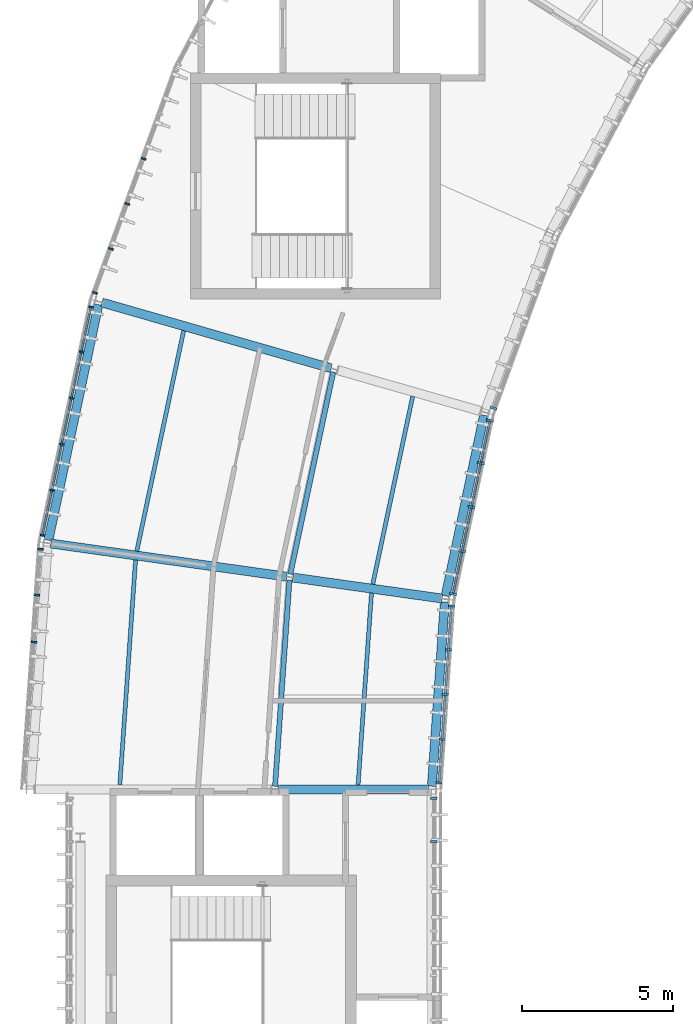
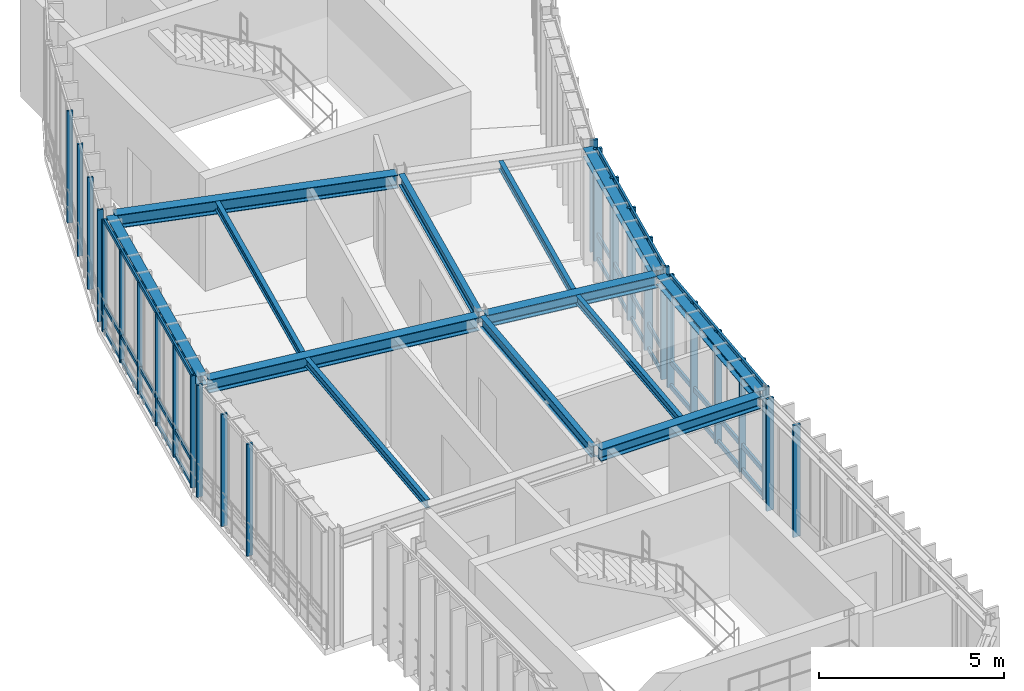
# One storey, part 5 of 25: 35 members, 13 beams, 7 elements without a shape of their own.
"""IFC4 building model written with IfcOpenShell, lengths in metres."""

import ifcopenshell
import ifcopenshell.guid

model = None  # the IFC model being written
_history = None  # IfcOwnerHistory: only IFC2X3 demands one
_inside = {}  # id of a spatial element -> (the spatial element, [elements in it])
_under = {}  # id of a project, library or spatial element -> (it, [spatial elements below it])
_declared = {}  # id of a project -> (the project, [libraries it declares])
_typed = {}  # id of a type object -> (the type object, [elements of that type])
_made_of = {}  # id of a material, layer set ... -> (it, [elements and type objects made of it])


def new_model(schema):
    """Start an empty IFC model of exactly this schema.

    Asked for "IFC4X3", IfcOpenShell would pick the latest addendum, in which some entities
    have other attributes; the version numbers below select the first issue.
    IFC2X3 requires an IfcOwnerHistory on every rooted entity: one is made here for all.
    """
    global model, _history
    if schema == "IFC4X3":
        model = ifcopenshell.file(schema_version=(4, 3, 0, 0))
    else:
        model = ifcopenshell.file(schema=schema)
    _inside.clear()
    _under.clear()
    _declared.clear()
    _typed.clear()
    _made_of.clear()
    _history = None
    if model.schema == "IFC2X3":
        org = make("IfcOrganization", Name="unknown")
        user = make(
            "IfcPersonAndOrganization",
            ThePerson=make("IfcPerson", FamilyName="unknown"),
            TheOrganization=org,
        )
        app = make(
            "IfcApplication",
            ApplicationDeveloper=org,
            Version="unknown",
            ApplicationFullName="unknown",
            ApplicationIdentifier="unknown",
        )
        _history = make(
            "IfcOwnerHistory",
            OwningUser=user,
            OwningApplication=app,
            ChangeAction="ADDED",
            CreationDate=0,
        )
    return model


def make(cls, **values):
    """One entity of the class cls with the attributes given. An attribute that is None is left unset."""
    return model.create_entity(
        cls, **{name: value for name, value in values.items() if value is not None}
    )


def rooted(cls, **values):
    """An entity with a GlobalId (a new one), such as an element, a storey or a relation."""
    return make(cls, GlobalId=ifcopenshell.guid.new(), OwnerHistory=_history, **values)


def si_unit(unit_type, name, prefix=None):
    """IfcSIUnit, for example si_unit("LENGTHUNIT", "METRE", prefix="MILLI")."""
    return make("IfcSIUnit", UnitType=unit_type, Prefix=prefix, Name=name)


def assignment(units):
    """IfcUnitAssignment: the units of a project."""
    return None if units is None else make("IfcUnitAssignment", Units=units)


def point(xyz):
    """IfcCartesianPoint."""
    return None if xyz is None else make("IfcCartesianPoint", Coordinates=xyz)


def direction(xyz):
    """IfcDirection."""
    return None if xyz is None else make("IfcDirection", DirectionRatios=xyz)


def frame(location, z_axis=None, x_axis=None):
    """IfcAxis2Placement3D, a coordinate frame: its origin and axes. An axis left out is left unset."""
    return make(
        "IfcAxis2Placement3D",
        Location=point(location),
        Axis=direction(z_axis),
        RefDirection=direction(x_axis),
    )


def frame_2d(location, x_axis=None):
    """IfcAxis2Placement2D, a coordinate frame in the plane: its origin and x axis."""
    return make(
        "IfcAxis2Placement2D", Location=point(location), RefDirection=direction(x_axis)
    )


def origin():
    """The frame at (0, 0, 0) with its axes left unset."""
    return frame((0.0, 0.0, 0.0))


def origin_2d():
    """The frame at (0, 0) in the plane with its x axis left unset."""
    return frame_2d((0.0, 0.0))


def place(relative_to, where):
    """IfcLocalPlacement: puts the frame where relative to a parent placement (None: the world)."""
    return make(
        "IfcLocalPlacement", PlacementRelTo=relative_to, RelativePlacement=where
    )


def context(
    kind, dimensions, precision=None, world=None, true_north=None, identifier=None
):
    """IfcGeometricRepresentationContext, for example the 3D "Model" context."""
    return make(
        "IfcGeometricRepresentationContext",
        ContextIdentifier=identifier,
        ContextType=kind,
        CoordinateSpaceDimension=dimensions,
        Precision=precision,
        WorldCoordinateSystem=world,
        TrueNorth=true_north,
    )


def subcontext(parent, identifier, kind, view, scale=None):
    """IfcGeometricRepresentationSubContext, for example "Body" below "Model"."""
    return make(
        "IfcGeometricRepresentationSubContext",
        ContextIdentifier=identifier,
        ContextType=kind,
        ParentContext=parent,
        TargetScale=scale,
        TargetView=view,
    )


def project(units=None, contexts=None):
    """IfcProject with its units and contexts."""
    return rooted(
        "IfcProject",
        Name="project",
        RepresentationContexts=contexts,
        UnitsInContext=assignment(units),
    )


def spatial(cls, under=None, at=None, **own):
    """A site, building, storey or space (cls), placed at a placement, below another one or the project."""
    s = rooted(cls, ObjectPlacement=at, **own)
    if under is not None:
        _under.setdefault(under.id(), (under, []))[1].append(s)
    return s


def profile(cls, at=None, kind="AREA", **sizes):
    """A parametric profile (cls). Its sizes go by their IFC names, for example OverallWidth=200.0."""
    return make(cls, ProfileType=kind, Position=at, **sizes)


def rectangle(**sizes):
    """IfcRectangleProfileDef."""
    return profile("IfcRectangleProfileDef", **sizes)


def i_section(**sizes):
    """IfcIShapeProfileDef."""
    return profile("IfcIShapeProfileDef", **sizes)


def extrude(swept, where, along, depth):
    """IfcExtrudedAreaSolid: the profile swept, set in the frame where, extruded along a direction by depth."""
    return make(
        "IfcExtrudedAreaSolid",
        SweptArea=swept,
        Position=where,
        ExtrudedDirection=direction(along),
        Depth=depth,
    )


def shape(context_of_items, identifier, shape_type, items):
    """IfcShapeRepresentation: the items that make up one representation, for example the "Body"."""
    return make(
        "IfcShapeRepresentation",
        ContextOfItems=context_of_items,
        RepresentationIdentifier=identifier,
        RepresentationType=shape_type,
        Items=items,
    )


def material(Name=None, Category=None):
    """IfcMaterial."""
    return make("IfcMaterial", Name=Name, Category=Category)


def layer(
    of_material, thickness, ventilated=None, Name=None, Category=None, Priority=None
):
    """IfcMaterialLayer: one layer of a wall or slab, of a material (None: an air gap)."""
    return make(
        "IfcMaterialLayer",
        Material=of_material,
        LayerThickness=thickness,
        IsVentilated=ventilated,
        Name=Name,
        Category=Category,
        Priority=Priority,
    )


def layer_set(layers, Name=None):
    """IfcMaterialLayerSet."""
    return make("IfcMaterialLayerSet", MaterialLayers=layers, LayerSetName=Name)


def material_profile(
    of_material, cross_section, Name=None, Category=None, Priority=None
):
    """IfcMaterialProfile: a cross section and its material."""
    return make(
        "IfcMaterialProfile",
        Name=Name,
        Material=of_material,
        Profile=cross_section,
        Priority=Priority,
        Category=Category,
    )


def profile_set(profiles, Name=None, composite=None):
    """IfcMaterialProfileSet."""
    return make(
        "IfcMaterialProfileSet",
        Name=Name,
        MaterialProfiles=profiles,
        CompositeProfile=composite,
    )


def made_of(thing, what):
    """Note that an element or type object is made of a material, layer set ...; save() writes the relation."""
    if what is not None:
        _made_of.setdefault(what.id(), (what, []))[1].append(thing)
    return thing


def type_object(cls, material=None, **own):
    """A type object (cls), such as IfcWallType, which elements share."""
    return made_of(rooted(cls, **own), material)


def element(
    cls,
    number,
    at=None,
    inside=None,
    cuts=None,
    type_object=None,
    material=None,
    context=None,
    identifier="Body",
    shape_type=None,
    held_by="IfcProductDefinitionShape",
    body=None,
    shapes=None,
    **own,
):
    """One element of the class cls, such as IfcWall. Its Tag is "e" and its number.

    at: its placement. inside: the storey or other place that contains it. cuts: it is an
    opening in that element (IfcRelVoidsElement). A single representation is given by context,
    identifier, shape_type and body (its items); several are given by shapes. held_by: the class
    of the entity that holds the representations. save() writes the other relations.
    """
    e = rooted(cls, Tag="e%d" % number, ObjectPlacement=at, **own)
    if body is not None:
        shapes = [shape(context, identifier, shape_type, body)]
    if shapes is not None:
        e.Representation = make(held_by, Representations=shapes)
    if inside is not None:
        _inside.setdefault(inside.id(), (inside, []))[1].append(e)
    if cuts is not None:
        rooted(
            "IfcRelVoidsElement", RelatingBuildingElement=cuts, RelatedOpeningElement=e
        )
    if type_object is not None:
        _typed.setdefault(type_object.id(), (type_object, []))[1].append(e)
    return made_of(e, material)


def aggregate(whole, parts):
    """IfcRelAggregates: a whole, such as a stair, and the parts it consists of."""
    return rooted("IfcRelAggregates", RelatingObject=whole, RelatedObjects=parts)


def save(model, path):
    """Write the relations noted so far, then the file.

    IfcRelAggregates (storeys below a building ...), IfcRelContainedInSpatialStructure (elements
    in a storey), IfcRelDefinesByType, IfcRelAssociatesMaterial and IfcRelDeclares: one each for
    every whole, place, type object, material and project.
    """
    for whole, parts in _under.values():
        aggregate(whole, parts)
    for where, things in _inside.values():
        rooted(
            "IfcRelContainedInSpatialStructure",
            RelatedElements=things,
            RelatingStructure=where,
        )
    for kind, things in _typed.values():
        rooted("IfcRelDefinesByType", RelatedObjects=things, RelatingType=kind)
    for what, things in _made_of.values():
        rooted("IfcRelAssociatesMaterial", RelatedObjects=things, RelatingMaterial=what)
    for by, libraries in _declared.values():
        rooted("IfcRelDeclares", RelatingContext=by, RelatedDefinitions=libraries)
    model.write(path)


model = new_model("IFC4")

# Units and contexts
model_context = context("Model", 3, precision=1e-05, world=origin(), true_north=direction((0.0, 1.0)))
body_context = subcontext(model_context, "Body", "Model", "MODEL_VIEW")
ifc_project = project(units=[si_unit("LENGTHUNIT", "METRE"), si_unit("AREAUNIT", "SQUARE_METRE"), si_unit("VOLUMEUNIT", "CUBIC_METRE"), si_unit("PLANEANGLEUNIT", "RADIAN"), si_unit("MASSUNIT", "GRAM", prefix="KILO"), si_unit("THERMODYNAMICTEMPERATUREUNIT", "KELVIN"), si_unit("POWERUNIT", "WATT")], contexts=[model_context])

# Site, building, storey
site_placement = place(None, origin())
site = spatial("IfcSite", under=ifc_project, at=site_placement, CompositionType="ELEMENT")
building_placement = place(site_placement, origin())
building = spatial("IfcBuilding", under=site, at=building_placement, Name="Solvatero Civic Police Headquarters", CompositionType="ELEMENT")
storey_placement = place(building_placement, frame((0.0, 0.0, 25.5)))
storey = spatial("IfcBuildingStorey", under=building, at=storey_placement, Name="L06", CompositionType="ELEMENT", Elevation=25.5)

# Beams
ifc_material_1 = material(Name="Steel S355", Category="steel")
ifc_material_profile_1 = material_profile(ifc_material_1, i_section(OverallWidth=0.300048828125, OverallDepth=0.2900390625, WebThickness=0.008544921875, FlangeThickness=0.013916015625, FilletRadius=0.027099609375, at=origin_2d()), Name="HEA 300")
ifc_profile_set_1 = profile_set([ifc_material_profile_1], Name="Steel S355")
beam_type_1 = type_object("IfcBeamType", Name="BM-ST-HEA300", PredefinedType="SPANDREL", material=ifc_profile_set_1)
beam_1_placement = place(storey_placement, frame((50.385986328125, 38.40234375, 3.554931640625), z_axis=(-0.207917848731, -0.978146291809, 0.0), x_axis=(0.978146291809, -0.207917848731, 0.0)))
element("IfcBeam", 1, at=beam_1_placement, inside=storey, type_object=beam_type_1, Name="Perimeter / radial spandrel beam BM-R2-L06-ARC-CIN-B11", PredefinedType="SPANDREL", context=body_context, shape_type="SweptSolid", body=[
    extrude(i_section(OverallWidth=0.300048828125, OverallDepth=0.2900390625, WebThickness=0.008544921875, FlangeThickness=0.013916015625, FilletRadius=0.027099609375, at=origin_2d()), origin(), (0.0, 0.0, 1.0), 6.126953125),
])
beam_2_placement = place(storey_placement, frame((49.084228515625, 32.211669921875, 3.554931640625), z_axis=(-0.069734750573, -0.997565569054, 0.0), x_axis=(0.997565569054, -0.069734750573, 0.0)))
element("IfcBeam", 2, at=beam_2_placement, inside=storey, type_object=beam_type_1, Name="Perimeter / radial spandrel beam BM-R2-L06-ARC-CIN-B12", PredefinedType="SPANDREL", context=body_context, shape_type="SweptSolid", body=[
    extrude(i_section(OverallWidth=0.300048828125, OverallDepth=0.2900390625, WebThickness=0.008544921875, FlangeThickness=0.013916015625, FilletRadius=0.027099609375, at=origin_2d()), origin(), (0.0, 0.0, 1.0), 6.126708984375),
])
ifc_material_profile_2 = material_profile(ifc_material_1, i_section(OverallWidth=0.300048828125, OverallDepth=0.31005859375, WebThickness=0.009033203125, FlangeThickness=0.015380859375, FilletRadius=0.027099609375, at=origin_2d()), Name="HEA 320")
ifc_profile_set_2 = profile_set([ifc_material_profile_2], Name="Steel S355")
beam_type_2 = type_object("IfcBeamType", Name="BM-ST-HEA320", PredefinedType="SPANDREL", material=ifc_profile_set_2)
beam_3_placement = place(storey_placement, frame((37.601318359375, 42.068359375, 3.544921875), z_axis=(-0.207912160321, -0.978147500938, 0.0), x_axis=(0.978147500938, -0.207912160321, 0.0)))
element("IfcBeam", 3, at=beam_3_placement, inside=storey, type_object=beam_type_2, Name="Perimeter / radial spandrel beam BM-R2-L06-ARC-COUT-B11", PredefinedType="SPANDREL", context=body_context, shape_type="SweptSolid", body=[
    extrude(i_section(OverallWidth=0.300048828125, OverallDepth=0.31005859375, WebThickness=0.009033203125, FlangeThickness=0.015380859375, FilletRadius=0.027099609375, at=origin_2d()), origin(), (0.0, 0.0, 1.0), 7.982666015625),
])
ifc_material_profile_3 = material_profile(ifc_material_1, i_section(OverallWidth=0.300048828125, OverallDepth=0.389892578125, WebThickness=0.010986328125, FlangeThickness=0.01904296875, FilletRadius=0.027099609375, at=origin_2d()), Name="HEA 400")
ifc_profile_set_3 = profile_set([ifc_material_profile_3], Name="Steel S355")
beam_type_3 = type_object("IfcBeamType", Name="BM-ST-HEA400", PredefinedType="BEAM", material=ifc_profile_set_3)
beam_4_placement = place(storey_placement, frame((48.9921875, 32.325439453125, 3.5048828125), z_axis=(-0.990269200152, 0.139165050317, 0.0), x_axis=(-0.139165050317, -0.990269200152, 0.0)))
element("IfcBeam", 4, at=beam_4_placement, inside=storey, type_object=beam_type_3, Name="Primary girder BM-R2-L06-ARC-RAD1-S11", PredefinedType="BEAM", context=body_context, shape_type="SweptSolid", body=[
    extrude(i_section(OverallWidth=0.300048828125, OverallDepth=0.389892578125, WebThickness=0.010986328125, FlangeThickness=0.01904296875, FilletRadius=0.027099609375, at=origin_2d()), origin(), (0.0, 0.0, 1.0), 4.999755859375),
])
beam_5_placement = place(storey_placement, frame((48.550048828125, 26.0, 3.5048828125), z_axis=(-1.0, 0.0, 0.0), x_axis=(0.0, -1.0, 0.0)))
element("IfcBeam", 5, at=beam_5_placement, inside=storey, type_object=beam_type_3, Name="Primary girder BM-R2-L06-ARC-RAD1-S12", PredefinedType="BEAM", context=body_context, shape_type="SweptSolid", body=[
    extrude(i_section(OverallWidth=0.300048828125, OverallDepth=0.389892578125, WebThickness=0.010986328125, FlangeThickness=0.01904296875, FilletRadius=0.027099609375, at=origin_2d()), origin(), (0.0, 0.0, 1.0), 5.0),
])
ifc_material_profile_4 = material_profile(ifc_material_1, i_section(OverallWidth=0.300048828125, OverallDepth=0.43994140625, WebThickness=0.011474609375, FlangeThickness=0.02099609375, FilletRadius=0.027099609375, at=origin_2d()), Name="HEA 450")
ifc_profile_set_4 = profile_set([ifc_material_profile_4], Name="Steel S355")
beam_type_4 = type_object("IfcBeamType", Name="BM-ST-HEA450", PredefinedType="BEAM", material=ifc_profile_set_4)
beam_6_placement = place(storey_placement, frame((45.31201171875, 39.961181640625, 3.47998046875), z_axis=(-0.961271645974, 0.275602653554, 0.0), x_axis=(-0.275602653554, -0.961271645974, 0.0)))
element("IfcBeam", 6, at=beam_6_placement, inside=storey, type_object=beam_type_4, Name="Primary girder BM-R2-L06-ARC-RAD2-S10", PredefinedType="BEAM", context=body_context, shape_type="SweptSolid", body=[
    extrude(i_section(OverallWidth=0.300048828125, OverallDepth=0.43994140625, WebThickness=0.011474609375, FlangeThickness=0.02099609375, FilletRadius=0.027099609375, at=origin_2d()), origin(), (0.0, 0.0, 1.0), 7.89990234375),
])
beam_7_placement = place(storey_placement, frame((43.843017578125, 33.049072265625, 3.47998046875), z_axis=(-0.990265898664, 0.139188540993, 0.0), x_axis=(-0.139188540993, -0.990265898664, 0.0)))
element("IfcBeam", 7, at=beam_7_placement, inside=storey, type_object=beam_type_4, Name="Primary girder BM-R2-L06-ARC-RAD2-S11", PredefinedType="BEAM", context=body_context, shape_type="SweptSolid", body=[
    extrude(i_section(OverallWidth=0.300048828125, OverallDepth=0.43994140625, WebThickness=0.011474609375, FlangeThickness=0.02099609375, FilletRadius=0.027099609375, at=origin_2d()), origin(), (0.0, 0.0, 1.0), 7.900146484375),
])
ifc_material_profile_5 = material_profile(ifc_material_1, i_section(OverallWidth=0.135009765625, OverallDepth=0.27001953125, WebThickness=0.006591796875, FlangeThickness=0.01025390625, FilletRadius=0.014892578125, at=origin_2d()), Name="IPE 270")
ifc_profile_set_5 = profile_set([ifc_material_profile_5], Name="Steel S355")
beam_type_5 = type_object("IfcBeamType", Name="BM-ST-IPE270", PredefinedType="BEAM", material=ifc_profile_set_5)
beam_8_placement = place(storey_placement, frame((48.0205078125, 39.02880859375, 3.56494140625), z_axis=(-0.207926610171, -0.978144429409, 0.0), x_axis=(0.978144429409, -0.207926610171, 0.0)))
element("IfcBeam", 8, at=beam_8_placement, inside=storey, type_object=beam_type_5, Name="Composite floor beam BM-R2-L06-ARC-CS1-B11", PredefinedType="BEAM", context=body_context, shape_type="SweptSolid", body=[
    extrude(i_section(OverallWidth=0.135009765625, OverallDepth=0.27001953125, WebThickness=0.006591796875, FlangeThickness=0.01025390625, FilletRadius=0.014892578125, at=origin_2d()), origin(), (0.0, 0.0, 1.0), 6.36865234375),
])
beam_9_placement = place(storey_placement, frame((40.426513671875, 41.206298828125, 3.56494140625), z_axis=(-0.207904092949, -0.97814921568, 0.0), x_axis=(0.97814921568, -0.207904092949, 0.0)))
element("IfcBeam", 9, at=beam_9_placement, inside=storey, type_object=beam_type_5, Name="Composite floor beam BM-R2-L06-ARC-CS2-B11", PredefinedType="BEAM", context=body_context, shape_type="SweptSolid", body=[
    extrude(i_section(OverallWidth=0.135009765625, OverallDepth=0.27001953125, WebThickness=0.006591796875, FlangeThickness=0.01025390625, FilletRadius=0.014892578125, at=origin_2d()), origin(), (0.0, 0.0, 1.0), 7.470947265625),
])
beam_10_placement = place(storey_placement, frame((46.65478515625, 32.5029296875, 3.56494140625), z_axis=(-0.069767710919, -0.997563264416, 0.0), x_axis=(0.997563264416, -0.069767710919, 0.0)))
element("IfcBeam", 10, at=beam_10_placement, inside=storey, type_object=beam_type_5, Name="Composite floor beam BM-R2-L06-ARC-CS1-B12", PredefinedType="BEAM", context=body_context, shape_type="SweptSolid", body=[
    extrude(i_section(OverallWidth=0.135009765625, OverallDepth=0.27001953125, WebThickness=0.006591796875, FlangeThickness=0.01025390625, FilletRadius=0.014892578125, at=origin_2d()), origin(), (0.0, 0.0, 1.0), 6.368896484375),
])
beam_11_placement = place(storey_placement, frame((38.83154296875, 33.602294921875, 3.56494140625), z_axis=(-0.069737421409, -0.997565382346, 0.0), x_axis=(0.997565382346, -0.069737421409, 0.0)))
element("IfcBeam", 11, at=beam_11_placement, inside=storey, type_object=beam_type_5, Name="Composite floor beam BM-R2-L06-ARC-CS2-B12", PredefinedType="BEAM", context=body_context, shape_type="SweptSolid", body=[
    extrude(i_section(OverallWidth=0.135009765625, OverallDepth=0.27001953125, WebThickness=0.006591796875, FlangeThickness=0.01025390625, FilletRadius=0.014892578125, at=origin_2d()), origin(), (0.0, 0.0, 1.0), 7.470947265625),
])
ifc_material_profile_6 = material_profile(ifc_material_1, i_section(OverallWidth=0.169921875, OverallDepth=0.360107421875, WebThickness=0.008056640625, FlangeThickness=0.0126953125, FilletRadius=0.01806640625, at=origin_2d()), Name="IPE 360")
ifc_profile_set_6 = profile_set([ifc_material_profile_6], Name="Steel S355")
beam_type_6 = type_object("IfcBeamType", Name="BM-ST-IPE360", PredefinedType="BEAM", material=ifc_profile_set_6)
beam_12_placement = place(storey_placement, frame((45.387451171875, 39.835693359375, 3.52001953125), z_axis=(-0.207927785808, -0.9781441795, 0.0), x_axis=(0.9781441795, -0.207927785808, 0.0)))
element("IfcBeam", 12, at=beam_12_placement, inside=storey, type_object=beam_type_6, Name="Composite floor beam BM-R2-L06-ARC-CMID-B11", PredefinedType="BEAM", context=body_context, shape_type="SweptSolid", body=[
    extrude(i_section(OverallWidth=0.169921875, OverallDepth=0.360107421875, WebThickness=0.008056640625, FlangeThickness=0.0126953125, FilletRadius=0.01806640625, at=origin_2d()), origin(), (0.0, 0.0, 1.0), 6.852294921875),
])
beam_13_placement = place(storey_placement, frame((43.934814453125, 32.935302734375, 3.52001953125), z_axis=(-0.069727722696, -0.997566060313, 0.0), x_axis=(0.997566060313, -0.069727722696, 0.0)))
element("IfcBeam", 13, at=beam_13_placement, inside=storey, type_object=beam_type_6, Name="Composite floor beam BM-R2-L06-ARC-CMID-B12", PredefinedType="BEAM", context=body_context, shape_type="SweptSolid", body=[
    extrude(i_section(OverallWidth=0.169921875, OverallDepth=0.360107421875, WebThickness=0.008056640625, FlangeThickness=0.0126953125, FilletRadius=0.01806640625, at=origin_2d()), origin(), (0.0, 0.0, 1.0), 6.85205078125),
])

# Curtain wall, members
ifc_material_2 = material(Name="Anodized Bronze Aluminium", Category="aluminium")
ifc_layer_1 = layer(ifc_material_2, 0.179931640625)
ifc_layer_set_1 = layer_set([ifc_layer_1], Name="Anodized Bronze Aluminium")
curtain_wall_type_1 = type_object("IfcCurtainWallType", Name="CW-ARC-IN", PredefinedType="USERDEFINED", material=ifc_layer_set_1)
curtain_wall_1_placement = place(storey_placement, origin())
curtain_wall_1 = element("IfcCurtainWall", 14, at=curtain_wall_1_placement, inside=storey, type_object=curtain_wall_type_1, Name="Curtain Wall CW-R2-L06-ARC-IN-B11", ObjectType="UNITISED", PredefinedType="USERDEFINED")
ifc_material_profile_7 = material_profile(ifc_material_2, rectangle(XDim=0.080078125, YDim=0.239990234375, at=origin_2d()), Name="ALU MULLION 80x240")
ifc_profile_set_7 = profile_set([ifc_material_profile_7], Name="Anodized Bronze Aluminium")
member_type_1 = type_object("IfcMemberType", Name="CWM-140x60", PredefinedType="MULLION", material=ifc_profile_set_7)
member_1_placement = place(storey_placement, frame((50.58349609375, 38.2275390625, 0.0), z_axis=(0.0, 0.0, 1.0), x_axis=(-0.207911690818, -0.978147600734, 0.0)))
member_1 = element("IfcMember", 15, at=member_1_placement, type_object=member_type_1, Name="CW-R2-L06-ARC-IN-B11 Mullion 1", PredefinedType="MULLION", context=body_context, shape_type="SweptSolid", body=[
    extrude(rectangle(XDim=0.080078125, YDim=0.239990234375, at=origin_2d()), origin(), (0.0, 0.0, 1.0), 3.699951171875),
])
member_2_placement = place(storey_placement, frame((50.281982421875, 36.809814453125, 0.0), z_axis=(0.0, 0.0, 1.0), x_axis=(-0.207911690818, -0.978147600734, 0.0)))
member_2 = element("IfcMember", 16, at=member_2_placement, type_object=member_type_1, Name="CW-R2-L06-ARC-IN-B11 Mullion 2", PredefinedType="MULLION", context=body_context, shape_type="SweptSolid", body=[
    extrude(rectangle(XDim=0.080078125, YDim=0.239990234375, at=origin_2d()), origin(), (0.0, 0.0, 1.0), 3.699951171875),
])
member_3_placement = place(storey_placement, frame((49.972412109375, 35.353271484375, 0.0), z_axis=(0.0, 0.0, 1.0), x_axis=(-0.207911690818, -0.978147600734, 0.0)))
member_3 = element("IfcMember", 17, at=member_3_placement, type_object=member_type_1, Name="CW-R2-L06-ARC-IN-B11 Mullion 3", PredefinedType="MULLION", context=body_context, shape_type="SweptSolid", body=[
    extrude(rectangle(XDim=0.080078125, YDim=0.239990234375, at=origin_2d()), origin(), (0.0, 0.0, 1.0), 3.699951171875),
])
member_4_placement = place(storey_placement, frame((49.662841796875, 33.896484375, 0.0), z_axis=(0.0, 0.0, 1.0), x_axis=(-0.207911690818, -0.978147600734, 0.0)))
member_4 = element("IfcMember", 18, at=member_4_placement, type_object=member_type_1, Name="CW-R2-L06-ARC-IN-B11 Mullion 4", PredefinedType="MULLION", context=body_context, shape_type="SweptSolid", body=[
    extrude(rectangle(XDim=0.080078125, YDim=0.239990234375, at=origin_2d()), origin(), (0.0, 0.0, 1.0), 3.699951171875),
])
member_5_placement = place(storey_placement, frame((49.361572265625, 32.47900390625, 0.0), z_axis=(0.0, 0.0, 1.0), x_axis=(-0.207911690818, -0.978147600734, 0.0)))
member_5 = element("IfcMember", 19, at=member_5_placement, type_object=member_type_1, Name="CW-R2-L06-ARC-IN-B11 Mullion 5", PredefinedType="MULLION", context=body_context, shape_type="SweptSolid", body=[
    extrude(rectangle(XDim=0.080078125, YDim=0.239990234375, at=origin_2d()), origin(), (0.0, 0.0, 1.0), 3.699951171875),
])

ifc_layer_2 = layer(ifc_material_2, 0.179931640625)
ifc_layer_set_2 = layer_set([ifc_layer_2], Name="Anodized Bronze Aluminium")
curtain_wall_type_2 = type_object("IfcCurtainWallType", Name="CW-ARC-OUT", PredefinedType="USERDEFINED", material=ifc_layer_set_2)
curtain_wall_2_placement = place(storey_placement, origin())
curtain_wall_2 = element("IfcCurtainWall", 20, at=curtain_wall_2_placement, inside=storey, type_object=curtain_wall_type_2, Name="Curtain Wall CW-R2-L06-ARC-OUT-B11", ObjectType="UNITISED", PredefinedType="USERDEFINED")
ifc_material_profile_8 = material_profile(ifc_material_2, rectangle(XDim=0.06005859375, YDim=0.139892578125, at=origin_2d()), Name="ALU MULLION 60x140")
ifc_profile_set_8 = profile_set([ifc_material_profile_8], Name="Anodized Bronze Aluminium")
member_type_2 = type_object("IfcMemberType", Name="CWM-160x65", PredefinedType="MULLION", material=ifc_profile_set_8)
member_6_placement = place(storey_placement, frame((37.349853515625, 41.989013671875, 0.0), z_axis=(0.0, 0.0, 1.0), x_axis=(-0.207911690818, -0.978147600734, 0.0)))
member_6 = element("IfcMember", 21, at=member_6_placement, type_object=member_type_2, Name="CW-R2-L06-ARC-OUT-B11 Mullion 1", PredefinedType="MULLION", context=body_context, shape_type="SweptSolid", body=[
    extrude(rectangle(XDim=0.06005859375, YDim=0.139892578125, at=origin_2d()), origin(), (0.0, 0.0, 1.0), 3.699951171875),
])
member_7_placement = place(storey_placement, frame((37.033203125, 40.499755859375, 0.0), z_axis=(0.0, 0.0, 1.0), x_axis=(-0.207911690818, -0.978147600734, 0.0)))
member_7 = element("IfcMember", 22, at=member_7_placement, type_object=member_type_2, Name="CW-R2-L06-ARC-OUT-B11 Mullion 2", PredefinedType="MULLION", context=body_context, shape_type="SweptSolid", body=[
    extrude(rectangle(XDim=0.06005859375, YDim=0.139892578125, at=origin_2d()), origin(), (0.0, 0.0, 1.0), 3.699951171875),
])
member_8_placement = place(storey_placement, frame((36.70849609375, 38.97119140625, 0.0), z_axis=(0.0, 0.0, 1.0), x_axis=(-0.207911690818, -0.978147600734, 0.0)))
member_8 = element("IfcMember", 23, at=member_8_placement, type_object=member_type_2, Name="CW-R2-L06-ARC-OUT-B11 Mullion 3", PredefinedType="MULLION", context=body_context, shape_type="SweptSolid", body=[
    extrude(rectangle(XDim=0.06005859375, YDim=0.139892578125, at=origin_2d()), origin(), (0.0, 0.0, 1.0), 3.699951171875),
])
member_9_placement = place(storey_placement, frame((36.383544921875, 37.443115234375, 0.0), z_axis=(0.0, 0.0, 1.0), x_axis=(-0.207911690818, -0.978147600734, 0.0)))
member_9 = element("IfcMember", 24, at=member_9_placement, type_object=member_type_2, Name="CW-R2-L06-ARC-OUT-B11 Mullion 4", PredefinedType="MULLION", context=body_context, shape_type="SweptSolid", body=[
    extrude(rectangle(XDim=0.06005859375, YDim=0.139892578125, at=origin_2d()), origin(), (0.0, 0.0, 1.0), 3.699951171875),
])
member_10_placement = place(storey_placement, frame((36.05859375, 35.91455078125, 0.0), z_axis=(0.0, 0.0, 1.0), x_axis=(-0.207911690818, -0.978147600734, 0.0)))
member_10 = element("IfcMember", 25, at=member_10_placement, type_object=member_type_2, Name="CW-R2-L06-ARC-OUT-B11 Mullion 5", PredefinedType="MULLION", context=body_context, shape_type="SweptSolid", body=[
    extrude(rectangle(XDim=0.06005859375, YDim=0.139892578125, at=origin_2d()), origin(), (0.0, 0.0, 1.0), 3.699951171875),
])
member_11_placement = place(storey_placement, frame((35.7421875, 34.42529296875, 0.0), z_axis=(0.0, 0.0, 1.0), x_axis=(-0.207911690818, -0.978147600734, 0.0)))
member_11 = element("IfcMember", 26, at=member_11_placement, type_object=member_type_2, Name="CW-R2-L06-ARC-OUT-B11 Mullion 6", PredefinedType="MULLION", context=body_context, shape_type="SweptSolid", body=[
    extrude(rectangle(XDim=0.06005859375, YDim=0.139892578125, at=origin_2d()), origin(), (0.0, 0.0, 1.0), 3.699951171875),
])

curtain_wall_3_placement = place(storey_placement, origin())
curtain_wall_3 = element("IfcCurtainWall", 27, at=curtain_wall_3_placement, inside=storey, type_object=curtain_wall_type_2, Name="Curtain Wall CW-R2-L06-ARC-OUT-B10", ObjectType="UNITISED", PredefinedType="USERDEFINED")
ifc_material_profile_9 = material_profile(ifc_material_2, rectangle(XDim=0.06005859375, YDim=0.159912109375, at=origin_2d()), Name="ALU MULLION 60x160")
ifc_profile_set_9 = profile_set([ifc_material_profile_9], Name="Anodized Bronze Aluminium")
member_type_3 = type_object("IfcMemberType", Name="CWM-180x70", PredefinedType="MULLION", material=ifc_profile_set_9)
member_12_placement = place(storey_placement, frame((39.1025390625, 46.904541015625, 0.0), z_axis=(0.0, 0.0, 1.0), x_axis=(-0.342020143326, -0.939692620786, 0.0)))
member_12 = element("IfcMember", 28, at=member_12_placement, type_object=member_type_3, Name="CW-R2-L06-ARC-OUT-B10 Mullion 3", PredefinedType="MULLION", context=body_context, shape_type="SweptSolid", body=[
    extrude(rectangle(XDim=0.06005859375, YDim=0.159912109375, at=origin_2d()), origin(), (0.0, 0.0, 1.0), 3.699951171875),
])
member_13_placement = place(storey_placement, frame((38.558837890625, 45.410888671875, 0.0), z_axis=(0.0, 0.0, 1.0), x_axis=(-0.342020143326, -0.939692620786, 0.0)))
member_13 = element("IfcMember", 29, at=member_13_placement, type_object=member_type_3, Name="CW-R2-L06-ARC-OUT-B10 Mullion 4", PredefinedType="MULLION", context=body_context, shape_type="SweptSolid", body=[
    extrude(rectangle(XDim=0.06005859375, YDim=0.159912109375, at=origin_2d()), origin(), (0.0, 0.0, 1.0), 3.699951171875),
])
member_14_placement = place(storey_placement, frame((38.01513671875, 43.9169921875, 0.0), z_axis=(0.0, 0.0, 1.0), x_axis=(-0.342020143326, -0.939692620786, 0.0)))
member_14 = element("IfcMember", 30, at=member_14_placement, type_object=member_type_3, Name="CW-R2-L06-ARC-OUT-B10 Mullion 5", PredefinedType="MULLION", context=body_context, shape_type="SweptSolid", body=[
    extrude(rectangle(XDim=0.06005859375, YDim=0.159912109375, at=origin_2d()), origin(), (0.0, 0.0, 1.0), 3.699951171875),
])
member_15_placement = place(storey_placement, frame((37.485107421875, 42.460693359375, 0.0), z_axis=(0.0, 0.0, 1.0), x_axis=(-0.342020143326, -0.939692620786, 0.0)))
member_15 = element("IfcMember", 31, at=member_15_placement, type_object=member_type_3, Name="CW-R2-L06-ARC-OUT-B10 Mullion 6", PredefinedType="MULLION", context=body_context, shape_type="SweptSolid", body=[
    extrude(rectangle(XDim=0.06005859375, YDim=0.159912109375, at=origin_2d()), origin(), (0.0, 0.0, 1.0), 3.699951171875),
])
aggregate(curtain_wall_3, [member_12, member_13, member_14, member_15])

curtain_wall_4_placement = place(storey_placement, origin())
curtain_wall_4 = element("IfcCurtainWall", 32, at=curtain_wall_4_placement, inside=storey, type_object=curtain_wall_type_2, Name="Curtain Wall CW-R2-L06-ARC-OUT-B12", ObjectType="UNITISED", PredefinedType="USERDEFINED")
ifc_material_profile_10 = material_profile(ifc_material_2, rectangle(XDim=0.06494140625, YDim=0.179931640625, at=origin_2d()), Name="ALU MULLION 65x180")
ifc_profile_set_10 = profile_set([ifc_material_profile_10], Name="Anodized Bronze Aluminium")
member_type_4 = type_object("IfcMemberType", Name="CWM-200x75", PredefinedType="MULLION", material=ifc_profile_set_10)
member_16_placement = place(storey_placement, frame((35.676513671875, 33.958984375, 0.0), z_axis=(0.0, 0.0, 1.0), x_axis=(-0.069739062956, -0.997565267588, 0.0)))
member_16 = element("IfcMember", 33, at=member_16_placement, type_object=member_type_4, Name="CW-R2-L06-ARC-OUT-B12 Mullion 1", PredefinedType="MULLION", context=body_context, shape_type="SweptSolid", body=[
    extrude(rectangle(XDim=0.06494140625, YDim=0.179931640625, at=origin_2d()), origin(), (0.0, 0.0, 1.0), 3.699951171875),
])
member_17_placement = place(storey_placement, frame((35.5703125, 32.440185546875, 0.0), z_axis=(0.0, 0.0, 1.0), x_axis=(-0.069739062956, -0.997565267588, 0.0)))
member_17 = element("IfcMember", 34, at=member_17_placement, type_object=member_type_4, Name="CW-R2-L06-ARC-OUT-B12 Mullion 2", PredefinedType="MULLION", context=body_context, shape_type="SweptSolid", body=[
    extrude(rectangle(XDim=0.06494140625, YDim=0.179931640625, at=origin_2d()), origin(), (0.0, 0.0, 1.0), 3.699951171875),
])
member_18_placement = place(storey_placement, frame((35.461181640625, 30.881591796875, 0.0), z_axis=(0.0, 0.0, 1.0), x_axis=(-0.069739062956, -0.997565267588, 0.0)))
member_18 = element("IfcMember", 35, at=member_18_placement, type_object=member_type_4, Name="CW-R2-L06-ARC-OUT-B12 Mullion 3", PredefinedType="MULLION", context=body_context, shape_type="SweptSolid", body=[
    extrude(rectangle(XDim=0.06494140625, YDim=0.179931640625, at=origin_2d()), origin(), (0.0, 0.0, 1.0), 3.699951171875),
])
aggregate(curtain_wall_4, [member_16, member_17, member_18])

curtain_wall_5_placement = place(storey_placement, origin())
curtain_wall_5 = element("IfcCurtainWall", 36, at=curtain_wall_5_placement, inside=storey, type_object=curtain_wall_type_1, Name="Curtain Wall CW-R2-L06-ARC-IN-B12", ObjectType="UNITISED", PredefinedType="USERDEFINED")
ifc_material_profile_11 = material_profile(ifc_material_2, rectangle(XDim=0.070068359375, YDim=0.199951171875, at=origin_2d()), Name="ALU MULLION 70x200")
ifc_profile_set_11 = profile_set([ifc_material_profile_11], Name="Anodized Bronze Aluminium")
member_type_5 = type_object("IfcMemberType", Name="CWM-220x80", PredefinedType="MULLION", material=ifc_profile_set_11)
member_19_placement = place(storey_placement, frame((49.304931640625, 32.075927734375, 0.0), z_axis=(0.0, 0.0, 1.0), x_axis=(-0.069773884511, -0.997562832628, 0.0)))
member_19 = element("IfcMember", 37, at=member_19_placement, type_object=member_type_5, Name="CW-R2-L06-ARC-IN-B12 Mullion 1", PredefinedType="MULLION", context=body_context, shape_type="SweptSolid", body=[
    extrude(rectangle(XDim=0.070068359375, YDim=0.199951171875, at=origin_2d()), origin(), (0.0, 0.0, 1.0), 3.699951171875),
])
member_20_placement = place(storey_placement, frame((49.203857421875, 30.63037109375, 0.0), z_axis=(0.0, 0.0, 1.0), x_axis=(-0.069773884511, -0.997562832628, 0.0)))
member_20 = element("IfcMember", 38, at=member_20_placement, type_object=member_type_5, Name="CW-R2-L06-ARC-IN-B12 Mullion 2", PredefinedType="MULLION", context=body_context, shape_type="SweptSolid", body=[
    extrude(rectangle(XDim=0.070068359375, YDim=0.199951171875, at=origin_2d()), origin(), (0.0, 0.0, 1.0), 3.699951171875),
])
member_21_placement = place(storey_placement, frame((49.099853515625, 29.144775390625, 0.0), z_axis=(0.0, 0.0, 1.0), x_axis=(-0.069773884511, -0.997562832628, 0.0)))
member_21 = element("IfcMember", 39, at=member_21_placement, type_object=member_type_5, Name="CW-R2-L06-ARC-IN-B12 Mullion 3", PredefinedType="MULLION", context=body_context, shape_type="SweptSolid", body=[
    extrude(rectangle(XDim=0.070068359375, YDim=0.199951171875, at=origin_2d()), origin(), (0.0, 0.0, 1.0), 3.699951171875),
])
member_22_placement = place(storey_placement, frame((48.99609375, 27.6591796875, 0.0), z_axis=(0.0, 0.0, 1.0), x_axis=(-0.069773884511, -0.997562832628, 0.0)))
member_22 = element("IfcMember", 40, at=member_22_placement, type_object=member_type_5, Name="CW-R2-L06-ARC-IN-B12 Mullion 4", PredefinedType="MULLION", context=body_context, shape_type="SweptSolid", body=[
    extrude(rectangle(XDim=0.070068359375, YDim=0.199951171875, at=origin_2d()), origin(), (0.0, 0.0, 1.0), 3.699951171875),
])
member_23_placement = place(storey_placement, frame((48.89501953125, 26.21337890625, 0.0), z_axis=(0.0, 0.0, 1.0), x_axis=(-0.069773884511, -0.997562832628, 0.0)))
member_23 = element("IfcMember", 41, at=member_23_placement, type_object=member_type_5, Name="CW-R2-L06-ARC-IN-B12 Mullion 5", PredefinedType="MULLION", context=body_context, shape_type="SweptSolid", body=[
    extrude(rectangle(XDim=0.070068359375, YDim=0.199951171875, at=origin_2d()), origin(), (0.0, 0.0, 1.0), 3.699951171875),
])

# Curtain wall, member
curtain_wall_6_placement = place(storey_placement, origin())
curtain_wall_6 = element("IfcCurtainWall", 42, at=curtain_wall_6_placement, inside=storey, type_object=curtain_wall_type_1, Name="Curtain Wall CW-R2-L06-ARC-IN-B10", ObjectType="UNITISED", PredefinedType="USERDEFINED")
ifc_material_profile_12 = material_profile(ifc_material_2, rectangle(XDim=0.074951171875, YDim=0.219970703125, at=origin_2d()), Name="ALU MULLION 75x220")
ifc_profile_set_12 = profile_set([ifc_material_profile_12], Name="Anodized Bronze Aluminium")
member_type_6 = type_object("IfcMemberType", Name="CWM-250x85", PredefinedType="MULLION", material=ifc_profile_set_12)
member_24_placement = place(storey_placement, frame((50.701171875, 38.637939453125, 0.0), z_axis=(0.0, 0.0, 1.0), x_axis=(-0.342003742543, -0.93969859002, 0.0)))
member_24 = element("IfcMember", 43, at=member_24_placement, type_object=member_type_6, Name="CW-R2-L06-ARC-IN-B10 Mullion 5", PredefinedType="MULLION", context=body_context, shape_type="SweptSolid", body=[
    extrude(rectangle(XDim=0.074951171875, YDim=0.219970703125, at=origin_2d()), origin(), (0.0, 0.0, 1.0), 3.699951171875),
])
aggregate(curtain_wall_6, [member_24])

# Curtain wall, members
ifc_layer_3 = layer(ifc_material_2, 0.179931640625)
ifc_layer_set_3 = layer_set([ifc_layer_3], Name="Anodized Bronze Aluminium")
curtain_wall_type_3 = type_object("IfcCurtainWallType", Name="CW-PROW-GLZ", PredefinedType="USERDEFINED", material=ifc_layer_set_3)
curtain_wall_7_placement = place(storey_placement, origin())
curtain_wall_7 = element("IfcCurtainWall", 44, at=curtain_wall_7_placement, inside=storey, type_object=curtain_wall_type_3, Name="Curtain Wall CW-R2-L06-PROW-E", ObjectType="UNITISED", PredefinedType="USERDEFINED")
member_25_placement = place(storey_placement, frame((48.719970703125, 24.26123046875, 0.0), z_axis=(0.0, 0.0, 1.0), x_axis=(0.0, 1.0, 0.0)))
member_25 = element("IfcMember", 45, at=member_25_placement, type_object=member_type_6, Name="CW-R2-L06-PROW-E Mullion 8", PredefinedType="MULLION", context=body_context, shape_type="SweptSolid", body=[
    extrude(rectangle(XDim=0.074951171875, YDim=0.219970703125, at=origin_2d()), origin(), (0.0, 0.0, 1.0), 3.699951171875),
])
member_26_placement = place(storey_placement, frame((48.719970703125, 25.699951171875, 0.0), z_axis=(0.0, 0.0, 1.0), x_axis=(0.0, 1.0, 0.0)))
member_26 = element("IfcMember", 46, at=member_26_placement, type_object=member_type_6, Name="CW-R2-L06-PROW-E Mullion 9", PredefinedType="MULLION", context=body_context, shape_type="SweptSolid", body=[
    extrude(rectangle(XDim=0.074951171875, YDim=0.219970703125, at=origin_2d()), origin(), (0.0, 0.0, 1.0), 3.699951171875),
])
aggregate(curtain_wall_7, [member_25, member_26])

# Member
ifc_material_profile_13 = material_profile(ifc_material_2, rectangle(XDim=0.070068359375, YDim=0.159912109375, at=origin_2d()), Name="ALU TRANSOM 70x160")
ifc_profile_set_13 = profile_set([ifc_material_profile_13], Name="Anodized Bronze Aluminium")
member_type_7 = type_object("IfcMemberType", Name="CWT-120x55", PredefinedType="USERDEFINED", material=ifc_profile_set_13)
member_27_placement = place(storey_placement, frame((49.30419921875, 32.06591796875, 0.0400390625), z_axis=(-0.069780594049, -0.997562363311, 0.0), x_axis=(0.997562363311, -0.069780594049, 0.0)))
member_27 = element("IfcMember", 47, at=member_27_placement, type_object=member_type_7, Name="CW-R2-L06-ARC-IN-B12 Transom 1", ObjectType="TRANSOM", PredefinedType="USERDEFINED", context=body_context, shape_type="SweptSolid", body=[
    extrude(rectangle(XDim=0.070068359375, YDim=0.159912109375, at=origin_2d()), origin(), (0.0, 0.0, 1.0), 5.856689453125),
])

member_28_placement = place(storey_placement, frame((49.30419921875, 32.06591796875, 0.85009765625), z_axis=(-0.069780594049, -0.997562363311, 0.0), x_axis=(0.997562363311, -0.069780594049, 0.0)))
member_28 = element("IfcMember", 48, at=member_28_placement, type_object=member_type_7, Name="CW-R2-L06-ARC-IN-B12 Transom 2", ObjectType="TRANSOM", PredefinedType="USERDEFINED", context=body_context, shape_type="SweptSolid", body=[
    extrude(rectangle(XDim=0.070068359375, YDim=0.159912109375, at=origin_2d()), origin(), (0.0, 0.0, 1.0), 5.856689453125),
])

member_29_placement = place(storey_placement, frame((49.30419921875, 32.06591796875, 3.659912109375), z_axis=(-0.069780594049, -0.997562363311, 0.0), x_axis=(0.997562363311, -0.069780594049, 0.0)))
member_29 = element("IfcMember", 49, at=member_29_placement, type_object=member_type_7, Name="CW-R2-L06-ARC-IN-B12 Transom 3", ObjectType="TRANSOM", PredefinedType="USERDEFINED", context=body_context, shape_type="SweptSolid", body=[
    extrude(rectangle(XDim=0.070068359375, YDim=0.159912109375, at=origin_2d()), origin(), (0.0, 0.0, 1.0), 5.856689453125),
])

aggregate(curtain_wall_5, [member_19, member_20, member_21, member_22, member_23, member_27, member_28, member_29])

ifc_material_profile_14 = material_profile(ifc_material_2, rectangle(XDim=0.06005859375, YDim=0.125, at=origin_2d()), Name="ALU TRANSOM 60x125")
ifc_profile_set_14 = profile_set([ifc_material_profile_14], Name="Anodized Bronze Aluminium")
member_type_8 = type_object("IfcMemberType", Name="CWT-160x65", PredefinedType="USERDEFINED", material=ifc_profile_set_14)
member_30_placement = place(storey_placement, frame((37.34765625, 41.97900390625, 0.0400390625), z_axis=(-0.207918196668, -0.97814621785, 0.0), x_axis=(0.97814621785, -0.207918196668, 0.0)))
member_30 = element("IfcMember", 50, at=member_30_placement, type_object=member_type_8, Name="CW-R2-L06-ARC-OUT-B11 Transom 1", ObjectType="TRANSOM", PredefinedType="USERDEFINED", context=body_context, shape_type="SweptSolid", body=[
    extrude(rectangle(XDim=0.06005859375, YDim=0.125, at=origin_2d()), origin(), (0.0, 0.0, 1.0), 7.712158203125),
])

member_31_placement = place(storey_placement, frame((37.34765625, 41.97900390625, 0.85009765625), z_axis=(-0.207918196668, -0.97814621785, 0.0), x_axis=(0.97814621785, -0.207918196668, 0.0)))
member_31 = element("IfcMember", 51, at=member_31_placement, type_object=member_type_8, Name="CW-R2-L06-ARC-OUT-B11 Transom 2", ObjectType="TRANSOM", PredefinedType="USERDEFINED", context=body_context, shape_type="SweptSolid", body=[
    extrude(rectangle(XDim=0.06005859375, YDim=0.125, at=origin_2d()), origin(), (0.0, 0.0, 1.0), 7.712158203125),
])

member_32_placement = place(storey_placement, frame((37.34765625, 41.97900390625, 3.659912109375), z_axis=(-0.207918196668, -0.97814621785, 0.0), x_axis=(0.97814621785, -0.207918196668, 0.0)))
member_32 = element("IfcMember", 52, at=member_32_placement, type_object=member_type_8, Name="CW-R2-L06-ARC-OUT-B11 Transom 3", ObjectType="TRANSOM", PredefinedType="USERDEFINED", context=body_context, shape_type="SweptSolid", body=[
    extrude(rectangle(XDim=0.06005859375, YDim=0.125, at=origin_2d()), origin(), (0.0, 0.0, 1.0), 7.712158203125),
])

aggregate(curtain_wall_2, [member_6, member_7, member_8, member_9, member_10, member_11, member_30, member_31, member_32])

ifc_material_profile_15 = material_profile(ifc_material_2, rectangle(XDim=0.06494140625, YDim=0.139892578125, at=origin_2d()), Name="ALU TRANSOM 65x140")
ifc_profile_set_15 = profile_set([ifc_material_profile_15], Name="Anodized Bronze Aluminium")
member_type_9 = type_object("IfcMemberType", Name="CWT-180x70", PredefinedType="USERDEFINED", material=ifc_profile_set_15)
member_33_placement = place(storey_placement, frame((50.581298828125, 38.2177734375, 0.0400390625), z_axis=(-0.207917582291, -0.978146348444, 0.0), x_axis=(0.978146348444, -0.207917582291, 0.0)))
member_33 = element("IfcMember", 53, at=member_33_placement, type_object=member_type_9, Name="CW-R2-L06-ARC-IN-B11 Transom 1", ObjectType="TRANSOM", PredefinedType="USERDEFINED", context=body_context, shape_type="SweptSolid", body=[
    extrude(rectangle(XDim=0.06494140625, YDim=0.139892578125, at=origin_2d()), origin(), (0.0, 0.0, 1.0), 5.85693359375),
])

member_34_placement = place(storey_placement, frame((50.581298828125, 38.2177734375, 0.85009765625), z_axis=(-0.207917582291, -0.978146348444, 0.0), x_axis=(0.978146348444, -0.207917582291, 0.0)))
member_34 = element("IfcMember", 54, at=member_34_placement, type_object=member_type_9, Name="CW-R2-L06-ARC-IN-B11 Transom 2", ObjectType="TRANSOM", PredefinedType="USERDEFINED", context=body_context, shape_type="SweptSolid", body=[
    extrude(rectangle(XDim=0.06494140625, YDim=0.139892578125, at=origin_2d()), origin(), (0.0, 0.0, 1.0), 5.85693359375),
])

member_35_placement = place(storey_placement, frame((50.581298828125, 38.2177734375, 3.659912109375), z_axis=(-0.207917582291, -0.978146348444, 0.0), x_axis=(0.978146348444, -0.207917582291, 0.0)))
member_35 = element("IfcMember", 55, at=member_35_placement, type_object=member_type_9, Name="CW-R2-L06-ARC-IN-B11 Transom 3", ObjectType="TRANSOM", PredefinedType="USERDEFINED", context=body_context, shape_type="SweptSolid", body=[
    extrude(rectangle(XDim=0.06494140625, YDim=0.139892578125, at=origin_2d()), origin(), (0.0, 0.0, 1.0), 5.85693359375),
])

aggregate(curtain_wall_1, [member_1, member_2, member_3, member_4, member_5, member_33, member_34, member_35])

save(model, "model.ifc")
